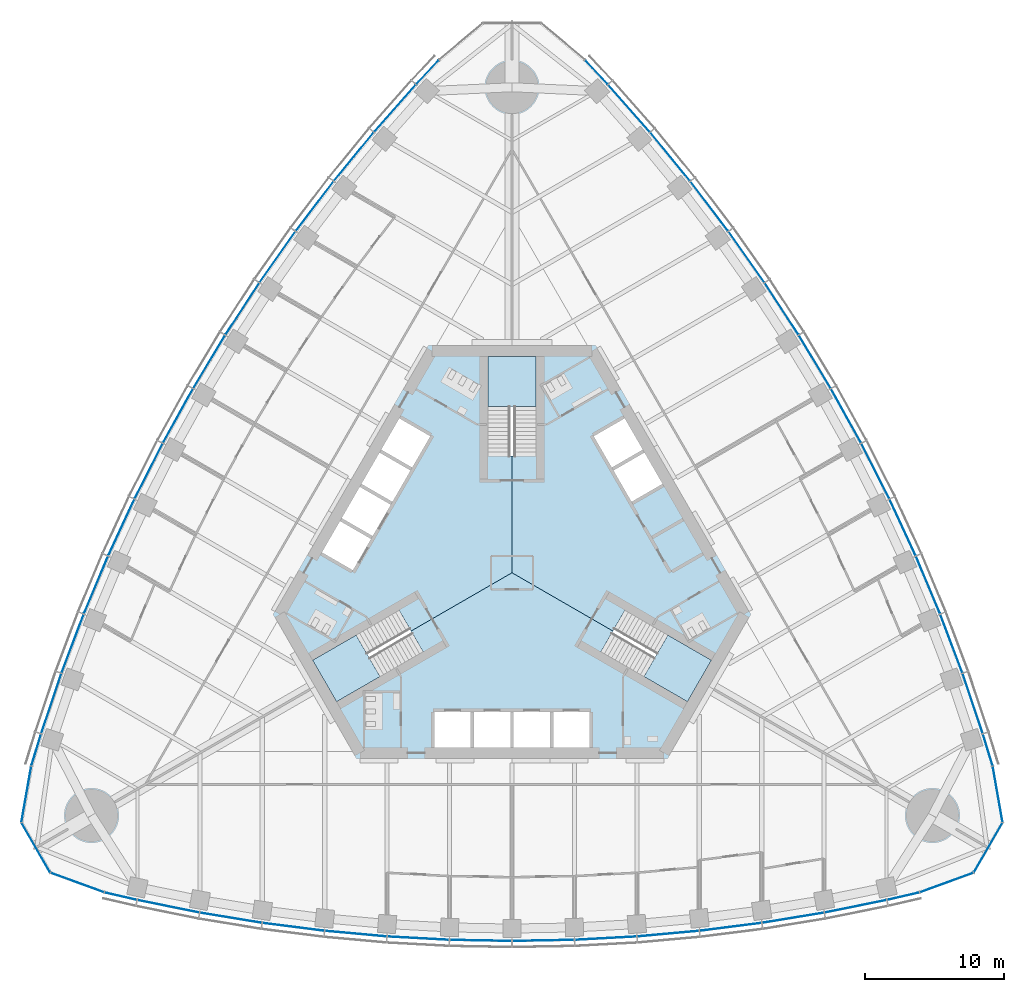
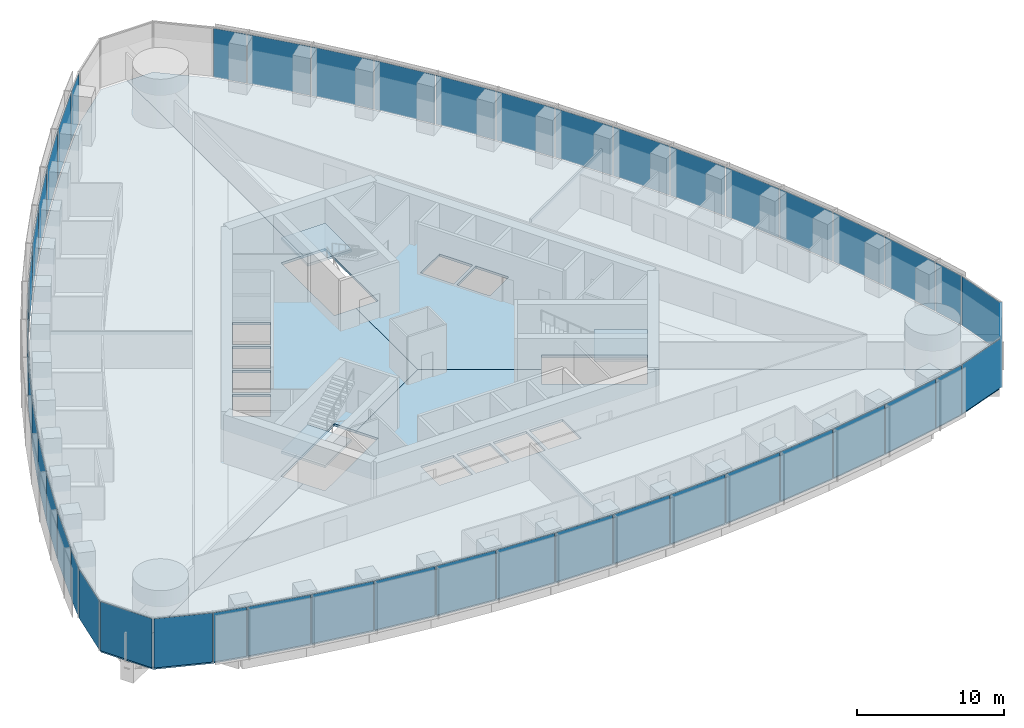
# One storey, part 10 of 19: 48 plates, 6 slabs, 8 elements without a shape of their own.
"""IFC4 building model written with IfcOpenShell, lengths in metres."""

from ifc_helpers import new_model, si_unit, direction, frame, origin, origin_2d, place, context, subcontext, project, spatial, polyline, rectangle, outline, extrude, material, layer, layer_set, type_object, element, aggregate, save


model = new_model("IFC4")

# Units and contexts
model_context = context("Model", 3, precision=1e-05, world=origin(), true_north=direction((0.0, 1.0)))
body_context = subcontext(model_context, "Body", "Model", "MODEL_VIEW")
ifc_project = project(units=[si_unit("LENGTHUNIT", "METRE"), si_unit("AREAUNIT", "SQUARE_METRE"), si_unit("VOLUMEUNIT", "CUBIC_METRE"), si_unit("PLANEANGLEUNIT", "RADIAN"), si_unit("MASSUNIT", "GRAM", prefix="KILO")], contexts=[model_context])

# Site, building, storey
site_placement = place(None, origin())
site = spatial("IfcSite", under=ifc_project, at=site_placement, CompositionType="ELEMENT")
building_placement = place(site_placement, origin())
building = spatial("IfcBuilding", under=site, at=building_placement, Name="Trefoil Bronze Tower", CompositionType="ELEMENT")
storey_placement = place(building_placement, frame((0.0, 0.0, 132.5)))
storey = spatial("IfcBuildingStorey", under=building, at=storey_placement, Name="L30", CompositionType="ELEMENT", Elevation=132.5)

# Curtain wall, plates
ifc_material_1 = material(Name="Tinted solar-control glass", Category="glass")
curtain_wall_type_1 = type_object("IfcCurtainWallType", Name="Bronze office curtain wall", PredefinedType="USERDEFINED", material=ifc_material_1)
curtain_wall_1_placement = place(storey_placement, origin())
curtain_wall_1 = element("IfcCurtainWall", 1, at=curtain_wall_1_placement, inside=storey, type_object=curtain_wall_type_1, Name="CW-A L30 F1", ObjectType="CURTAIN WALL", PredefinedType="USERDEFINED")
ifc_material_2 = material(Name="Tinted solar-control glass", Category="glass")
ifc_layer_1 = layer(ifc_material_2, 0.030029296875)
ifc_layer_set_1 = layer_set([ifc_layer_1], Name="Bronze office curtain wall glass panel")
plate_type_1 = type_object("IfcPlateType", Name="Bronze office curtain wall glass panel", PredefinedType="CURTAIN_PANEL", material=ifc_layer_set_1)
plate_1_placement = place(storey_placement, frame((-28.201416015625, -23.320068359375, 0.0), z_axis=(0.0, 0.0, 1.0), x_axis=(0.97420444715, -0.225667222151, 0.0)))
plate_1 = element("IfcPlate", 2, at=plate_1_placement, type_object=plate_type_1, Name="CW-A L30 F1 panel 1", PredefinedType="CURTAIN_PANEL", context=body_context, shape_type="SweptSolid", body=[
    extrude(rectangle(XDim=2.340087890625, YDim=0.030029296875, at=origin_2d()), origin(), (0.0, 0.0, 1.0), 4.080078125),
])
plate_2_placement = place(storey_placement, frame((-24.769775390625, -24.048828125, 0.0), z_axis=(0.0, 0.0, 1.0), x_axis=(0.980155155547, -0.198231861853, 0.0)))
plate_2 = element("IfcPlate", 3, at=plate_2_placement, type_object=plate_type_1, Name="CW-A L30 F1 panel 2", PredefinedType="CURTAIN_PANEL", context=body_context, shape_type="SweptSolid", body=[
    extrude(rectangle(XDim=4.51123046875, YDim=0.030029296875, at=origin_2d()), origin(), (0.0, 0.0, 1.0), 4.080078125),
])
plate_3_placement = place(storey_placement, frame((-20.26611328125, -24.87451171875, 0.0), z_axis=(0.0, 0.0, 1.0), x_axis=(0.986759655731, -0.162189339418, 0.0)))
plate_3 = element("IfcPlate", 4, at=plate_3_placement, type_object=plate_type_1, Name="CW-A L30 F1 panel 3", PredefinedType="CURTAIN_PANEL", context=body_context, shape_type="SweptSolid", body=[
    extrude(rectangle(XDim=4.48046875, YDim=0.030029296875, at=origin_2d()), origin(), (0.0, 0.0, 1.0), 4.080078125),
])
plate_4_placement = place(storey_placement, frame((-15.7626953125, -25.53076171875, 0.0), z_axis=(0.0, 0.0, 1.0), x_axis=(0.992011554286, -0.126147041833, 0.0)))
plate_4 = element("IfcPlate", 5, at=plate_4_placement, type_object=plate_type_1, Name="CW-A L30 F1 panel 4", PredefinedType="CURTAIN_PANEL", context=body_context, shape_type="SweptSolid", body=[
    extrude(rectangle(XDim=4.456298828125, YDim=0.030029296875, at=origin_2d()), origin(), (0.0, 0.0, 1.0), 4.080078125),
])
plate_5_placement = place(storey_placement, frame((-11.259033203125, -26.02099609375, 0.0), z_axis=(0.0, 0.0, 1.0), x_axis=(0.995932279146, -0.090104913044, 0.0)))
plate_5 = element("IfcPlate", 6, at=plate_5_placement, type_object=plate_type_1, Name="CW-A L30 F1 panel 5", PredefinedType="CURTAIN_PANEL", context=body_context, shape_type="SweptSolid", body=[
    extrude(rectangle(XDim=4.4384765625, YDim=0.030029296875, at=origin_2d()), origin(), (0.0, 0.0, 1.0), 4.080078125),
])
plate_6_placement = place(storey_placement, frame((-6.75537109375, -26.3466796875, 0.0), z_axis=(0.0, 0.0, 1.0), x_axis=(0.998537531923, -0.054062901701, 0.0)))
plate_6 = element("IfcPlate", 7, at=plate_6_placement, type_object=plate_type_1, Name="CW-A L30 F1 panel 6", PredefinedType="CURTAIN_PANEL", context=body_context, shape_type="SweptSolid", body=[
    extrude(rectangle(XDim=4.426513671875, YDim=0.030029296875, at=origin_2d()), origin(), (0.0, 0.0, 1.0), 4.080078125),
])
plate_7_placement = place(storey_placement, frame((-2.251708984375, -26.509033203125, 0.0), z_axis=(0.0, 0.0, 1.0), x_axis=(0.999837609322, -0.018020959612, 0.0)))
plate_7 = element("IfcPlate", 8, at=plate_7_placement, type_object=plate_type_1, Name="CW-A L30 F1 panel 7", PredefinedType="CURTAIN_PANEL", context=body_context, shape_type="SweptSolid", body=[
    extrude(rectangle(XDim=4.420654296875, YDim=0.030029296875, at=origin_2d()), origin(), (0.0, 0.0, 1.0), 4.080078125),
])
plate_8_placement = place(storey_placement, frame((2.251708984375, -26.509033203125, 0.0), z_axis=(0.0, 0.0, 1.0), x_axis=(0.999837609322, 0.018020959612, 0.0)))
plate_8 = element("IfcPlate", 9, at=plate_8_placement, type_object=plate_type_1, Name="CW-A L30 F1 panel 8", PredefinedType="CURTAIN_PANEL", context=body_context, shape_type="SweptSolid", body=[
    extrude(rectangle(XDim=4.420654296875, YDim=0.030029296875, at=origin_2d()), origin(), (0.0, 0.0, 1.0), 4.080078125),
])
plate_9_placement = place(storey_placement, frame((6.75537109375, -26.3466796875, 0.0), z_axis=(0.0, 0.0, 1.0), x_axis=(0.998537531923, 0.054062901701, 0.0)))
plate_9 = element("IfcPlate", 10, at=plate_9_placement, type_object=plate_type_1, Name="CW-A L30 F1 panel 9", PredefinedType="CURTAIN_PANEL", context=body_context, shape_type="SweptSolid", body=[
    extrude(rectangle(XDim=4.426513671875, YDim=0.030029296875, at=origin_2d()), origin(), (0.0, 0.0, 1.0), 4.080078125),
])
plate_10_placement = place(storey_placement, frame((11.259033203125, -26.02099609375, 0.0), z_axis=(0.0, 0.0, 1.0), x_axis=(0.995932279146, 0.090104913044, 0.0)))
plate_10 = element("IfcPlate", 11, at=plate_10_placement, type_object=plate_type_1, Name="CW-A L30 F1 panel 10", PredefinedType="CURTAIN_PANEL", context=body_context, shape_type="SweptSolid", body=[
    extrude(rectangle(XDim=4.4384765625, YDim=0.030029296875, at=origin_2d()), origin(), (0.0, 0.0, 1.0), 4.080078125),
])
plate_11_placement = place(storey_placement, frame((15.7626953125, -25.53076171875, 0.0), z_axis=(0.0, 0.0, 1.0), x_axis=(0.992011554286, 0.126147041833, 0.0)))
plate_11 = element("IfcPlate", 12, at=plate_11_placement, type_object=plate_type_1, Name="CW-A L30 F1 panel 11", PredefinedType="CURTAIN_PANEL", context=body_context, shape_type="SweptSolid", body=[
    extrude(rectangle(XDim=4.456298828125, YDim=0.030029296875, at=origin_2d()), origin(), (0.0, 0.0, 1.0), 4.080078125),
])
plate_12_placement = place(storey_placement, frame((20.26611328125, -24.87451171875, 0.0), z_axis=(0.0, 0.0, 1.0), x_axis=(0.986759655731, 0.162189339418, 0.0)))
plate_12 = element("IfcPlate", 13, at=plate_12_placement, type_object=plate_type_1, Name="CW-A L30 F1 panel 12", PredefinedType="CURTAIN_PANEL", context=body_context, shape_type="SweptSolid", body=[
    extrude(rectangle(XDim=4.48046875, YDim=0.030029296875, at=origin_2d()), origin(), (0.0, 0.0, 1.0), 4.080078125),
])
plate_13_placement = place(storey_placement, frame((24.769775390625, -24.048828125, 0.0), z_axis=(0.0, 0.0, 1.0), x_axis=(0.980155155547, 0.198231861853, 0.0)))
plate_13 = element("IfcPlate", 14, at=plate_13_placement, type_object=plate_type_1, Name="CW-A L30 F1 panel 13", PredefinedType="CURTAIN_PANEL", context=body_context, shape_type="SweptSolid", body=[
    extrude(rectangle(XDim=4.51123046875, YDim=0.030029296875, at=origin_2d()), origin(), (0.0, 0.0, 1.0), 4.080078125),
])
plate_14_placement = place(storey_placement, frame((28.201416015625, -23.320068359375, 0.0), z_axis=(0.0, 0.0, 1.0), x_axis=(0.97420444715, 0.225667222151, 0.0)))
plate_14 = element("IfcPlate", 15, at=plate_14_placement, type_object=plate_type_1, Name="CW-A L30 F1 panel 14", PredefinedType="CURTAIN_PANEL", context=body_context, shape_type="SweptSolid", body=[
    extrude(rectangle(XDim=2.340087890625, YDim=0.030029296875, at=origin_2d()), origin(), (0.0, 0.0, 1.0), 4.080078125),
])
aggregate(curtain_wall_1, [plate_1, plate_2, plate_3, plate_4, plate_5, plate_6, plate_7, plate_8, plate_9, plate_10, plate_11, plate_12, plate_13, plate_14])

curtain_wall_2_placement = place(storey_placement, origin())
curtain_wall_2 = element("IfcCurtainWall", 16, at=curtain_wall_2_placement, inside=storey, type_object=curtain_wall_type_1, Name="CW-A L30 F2", ObjectType="CURTAIN WALL", PredefinedType="USERDEFINED")
plate_15_placement = place(storey_placement, frame((34.296630859375, -12.762939453125, 0.0), z_axis=(0.0, 0.0, 1.0), x_axis=(-0.291668676391, 0.956519410787, 0.0)))
plate_15 = element("IfcPlate", 17, at=plate_15_placement, type_object=plate_type_1, Name="CW-A L30 F2 panel 1", PredefinedType="CURTAIN_PANEL", context=body_context, shape_type="SweptSolid", body=[
    extrude(rectangle(XDim=2.340087890625, YDim=0.030029296875, at=origin_2d()), origin(), (0.0, 0.0, 1.0), 4.080078125),
])
plate_16_placement = place(storey_placement, frame((33.2119140625, -9.4267578125, 0.0), z_axis=(0.0, 0.0, 1.0), x_axis=(-0.318403749569, 0.947955195281, 0.0)))
plate_16 = element("IfcPlate", 18, at=plate_16_placement, type_object=plate_type_1, Name="CW-A L30 F2 panel 2", PredefinedType="CURTAIN_PANEL", context=body_context, shape_type="SweptSolid", body=[
    extrude(rectangle(XDim=4.51123046875, YDim=0.030029296875, at=origin_2d()), origin(), (0.0, 0.0, 1.0), 4.080078125),
])
plate_17_placement = place(storey_placement, frame((31.675048828125, -5.11376953125, 0.0), z_axis=(0.0, 0.0, 1.0), x_axis=(-0.352919739707, 0.935653599002, 0.0)))
plate_17 = element("IfcPlate", 19, at=plate_17_placement, type_object=plate_type_1, Name="CW-A L30 F2 panel 3", PredefinedType="CURTAIN_PANEL", context=body_context, shape_type="SweptSolid", body=[
    extrude(rectangle(XDim=4.48046875, YDim=0.030029296875, at=origin_2d()), origin(), (0.0, 0.0, 1.0), 4.080078125),
])
plate_18_placement = place(storey_placement, frame((29.99169921875, -0.885498046875, 0.0), z_axis=(0.0, 0.0, 1.0), x_axis=(-0.386759234303, 0.922180727776, 0.0)))
plate_18 = element("IfcPlate", 20, at=plate_18_placement, type_object=plate_type_1, Name="CW-A L30 F2 panel 4", PredefinedType="CURTAIN_PANEL", context=body_context, shape_type="SweptSolid", body=[
    extrude(rectangle(XDim=4.456298828125, YDim=0.030029296875, at=origin_2d()), origin(), (0.0, 0.0, 1.0), 4.080078125),
])
plate_19_placement = place(storey_placement, frame((28.164306640625, 3.260009765625, 0.0), z_axis=(0.0, 0.0, 1.0), x_axis=(-0.419932995871, 0.907555110712, 0.0)))
plate_19 = element("IfcPlate", 21, at=plate_19_placement, type_object=plate_type_1, Name="CW-A L30 F2 panel 5", PredefinedType="CURTAIN_PANEL", context=body_context, shape_type="SweptSolid", body=[
    extrude(rectangle(XDim=4.4384765625, YDim=0.030029296875, at=origin_2d()), origin(), (0.0, 0.0, 1.0), 4.080078125),
])
plate_20_placement = place(storey_placement, frame((26.194580078125, 7.322998046875, 0.0), z_axis=(0.0, 0.0, 1.0), x_axis=(-0.452448919686, 0.891790320128, 0.0)))
plate_20 = element("IfcPlate", 22, at=plate_20_placement, type_object=plate_type_1, Name="CW-A L30 F2 panel 6", PredefinedType="CURTAIN_PANEL", context=body_context, shape_type="SweptSolid", body=[
    extrude(rectangle(XDim=4.426513671875, YDim=0.030029296875, at=origin_2d()), origin(), (0.0, 0.0, 1.0), 4.080078125),
])
plate_21_placement = place(storey_placement, frame((24.08349609375, 11.304443359375, 0.0), z_axis=(0.0, 0.0, 1.0), x_axis=(-0.484312195836, 0.874895249138, 0.0)))
plate_21 = element("IfcPlate", 23, at=plate_21_placement, type_object=plate_type_1, Name="CW-A L30 F2 panel 7", PredefinedType="CURTAIN_PANEL", context=body_context, shape_type="SweptSolid", body=[
    extrude(rectangle(XDim=4.420654296875, YDim=0.030029296875, at=origin_2d()), origin(), (0.0, 0.0, 1.0), 4.080078125),
])
plate_22_placement = place(storey_placement, frame((21.83154296875, 15.20458984375, 0.0), z_axis=(0.0, 0.0, 1.0), x_axis=(-0.515525413486, 0.856874289526, 0.0)))
plate_22 = element("IfcPlate", 24, at=plate_22_placement, type_object=plate_type_1, Name="CW-A L30 F2 panel 8", PredefinedType="CURTAIN_PANEL", context=body_context, shape_type="SweptSolid", body=[
    extrude(rectangle(XDim=4.420654296875, YDim=0.030029296875, at=origin_2d()), origin(), (0.0, 0.0, 1.0), 4.080078125),
])
plate_23_placement = place(storey_placement, frame((19.439208984375, 19.023681640625, 0.0), z_axis=(0.0, 0.0, 1.0), x_axis=(-0.546088612237, 0.837727418427, 0.0)))
plate_23 = element("IfcPlate", 25, at=plate_23_placement, type_object=plate_type_1, Name="CW-A L30 F2 panel 9", PredefinedType="CURTAIN_PANEL", context=body_context, shape_type="SweptSolid", body=[
    extrude(rectangle(XDim=4.426513671875, YDim=0.030029296875, at=origin_2d()), origin(), (0.0, 0.0, 1.0), 4.080078125),
])
plate_24_placement = place(storey_placement, frame((16.9052734375, 22.760986328125, 0.0), z_axis=(0.0, 0.0, 1.0), x_axis=(-0.575999283275, 0.817450197667, 0.0)))
plate_24 = element("IfcPlate", 26, at=plate_24_placement, type_object=plate_type_1, Name="CW-A L30 F2 panel 10", PredefinedType="CURTAIN_PANEL", context=body_context, shape_type="SweptSolid", body=[
    extrude(rectangle(XDim=4.4384765625, YDim=0.030029296875, at=origin_2d()), origin(), (0.0, 0.0, 1.0), 4.080078125),
])
plate_25_placement = place(storey_placement, frame((14.22900390625, 26.416259765625, 0.0), z_axis=(0.0, 0.0, 1.0), x_axis=(-0.605252319983, 0.796033685943, 0.0)))
plate_25 = element("IfcPlate", 27, at=plate_25_placement, type_object=plate_type_1, Name="CW-A L30 F2 panel 11", PredefinedType="CURTAIN_PANEL", context=body_context, shape_type="SweptSolid", body=[
    extrude(rectangle(XDim=4.456298828125, YDim=0.030029296875, at=origin_2d()), origin(), (0.0, 0.0, 1.0), 4.080078125),
])
plate_26_placement = place(storey_placement, frame((11.40869140625, 29.98828125, 0.0), z_axis=(0.0, 0.0, 1.0), x_axis=(-0.633839916024, 0.773464259584, 0.0)))
plate_26 = element("IfcPlate", 28, at=plate_26_placement, type_object=plate_type_1, Name="CW-A L30 F2 panel 12", PredefinedType="CURTAIN_PANEL", context=body_context, shape_type="SweptSolid", body=[
    extrude(rectangle(XDim=4.48046875, YDim=0.030029296875, at=origin_2d()), origin(), (0.0, 0.0, 1.0), 4.080078125),
])
plate_27_placement = place(storey_placement, frame((8.442138671875, 33.475830078125, 0.0), z_axis=(0.0, 0.0, 1.0), x_axis=(-0.661751405978, 0.749723333428, 0.0)))
plate_27 = element("IfcPlate", 29, at=plate_27_placement, type_object=plate_type_1, Name="CW-A L30 F2 panel 13", PredefinedType="CURTAIN_PANEL", context=body_context, shape_type="SweptSolid", body=[
    extrude(rectangle(XDim=4.51123046875, YDim=0.030029296875, at=origin_2d()), origin(), (0.0, 0.0, 1.0), 4.080078125),
])
plate_28_placement = place(storey_placement, frame((6.09521484375, 36.083251953125, 0.0), z_axis=(0.0, 0.0, 1.0), x_axis=(-0.682535770759, 0.730852188636, 0.0)))
plate_28 = element("IfcPlate", 30, at=plate_28_placement, type_object=plate_type_1, Name="CW-A L30 F2 panel 14", PredefinedType="CURTAIN_PANEL", context=body_context, shape_type="SweptSolid", body=[
    extrude(rectangle(XDim=2.340087890625, YDim=0.030029296875, at=origin_2d()), origin(), (0.0, 0.0, 1.0), 4.080078125),
])
aggregate(curtain_wall_2, [plate_15, plate_16, plate_17, plate_18, plate_19, plate_20, plate_21, plate_22, plate_23, plate_24, plate_25, plate_26, plate_27, plate_28])

curtain_wall_3_placement = place(storey_placement, origin())
curtain_wall_3 = element("IfcCurtainWall", 31, at=curtain_wall_3_placement, inside=storey, type_object=curtain_wall_type_1, Name="CW-A L30 F3", ObjectType="CURTAIN WALL", PredefinedType="USERDEFINED")
plate_29_placement = place(storey_placement, frame((-6.09521484375, 36.083251953125, 0.0), z_axis=(0.0, 0.0, 1.0), x_axis=(-0.682535770759, -0.730852188636, 0.0)))
plate_29 = element("IfcPlate", 32, at=plate_29_placement, type_object=plate_type_1, Name="CW-A L30 F3 panel 1", PredefinedType="CURTAIN_PANEL", context=body_context, shape_type="SweptSolid", body=[
    extrude(rectangle(XDim=2.340087890625, YDim=0.030029296875, at=origin_2d()), origin(), (0.0, 0.0, 1.0), 4.080078125),
])
plate_30_placement = place(storey_placement, frame((-8.442138671875, 33.475830078125, 0.0), z_axis=(0.0, 0.0, 1.0), x_axis=(-0.661751405978, -0.749723333428, 0.0)))
plate_30 = element("IfcPlate", 33, at=plate_30_placement, type_object=plate_type_1, Name="CW-A L30 F3 panel 2", PredefinedType="CURTAIN_PANEL", context=body_context, shape_type="SweptSolid", body=[
    extrude(rectangle(XDim=4.51123046875, YDim=0.030029296875, at=origin_2d()), origin(), (0.0, 0.0, 1.0), 4.080078125),
])
plate_31_placement = place(storey_placement, frame((-11.40869140625, 29.98828125, 0.0), z_axis=(0.0, 0.0, 1.0), x_axis=(-0.633839916024, -0.773464259584, 0.0)))
plate_31 = element("IfcPlate", 34, at=plate_31_placement, type_object=plate_type_1, Name="CW-A L30 F3 panel 3", PredefinedType="CURTAIN_PANEL", context=body_context, shape_type="SweptSolid", body=[
    extrude(rectangle(XDim=4.48046875, YDim=0.030029296875, at=origin_2d()), origin(), (0.0, 0.0, 1.0), 4.080078125),
])
plate_32_placement = place(storey_placement, frame((-14.22900390625, 26.416259765625, 0.0), z_axis=(0.0, 0.0, 1.0), x_axis=(-0.605252319983, -0.796033685943, 0.0)))
plate_32 = element("IfcPlate", 35, at=plate_32_placement, type_object=plate_type_1, Name="CW-A L30 F3 panel 4", PredefinedType="CURTAIN_PANEL", context=body_context, shape_type="SweptSolid", body=[
    extrude(rectangle(XDim=4.456298828125, YDim=0.030029296875, at=origin_2d()), origin(), (0.0, 0.0, 1.0), 4.080078125),
])
plate_33_placement = place(storey_placement, frame((-16.9052734375, 22.760986328125, 0.0), z_axis=(0.0, 0.0, 1.0), x_axis=(-0.575999283275, -0.817450197667, 0.0)))
plate_33 = element("IfcPlate", 36, at=plate_33_placement, type_object=plate_type_1, Name="CW-A L30 F3 panel 5", PredefinedType="CURTAIN_PANEL", context=body_context, shape_type="SweptSolid", body=[
    extrude(rectangle(XDim=4.4384765625, YDim=0.030029296875, at=origin_2d()), origin(), (0.0, 0.0, 1.0), 4.080078125),
])
plate_34_placement = place(storey_placement, frame((-19.439208984375, 19.023681640625, 0.0), z_axis=(0.0, 0.0, 1.0), x_axis=(-0.546088612237, -0.837727418427, 0.0)))
plate_34 = element("IfcPlate", 37, at=plate_34_placement, type_object=plate_type_1, Name="CW-A L30 F3 panel 6", PredefinedType="CURTAIN_PANEL", context=body_context, shape_type="SweptSolid", body=[
    extrude(rectangle(XDim=4.426513671875, YDim=0.030029296875, at=origin_2d()), origin(), (0.0, 0.0, 1.0), 4.080078125),
])
plate_35_placement = place(storey_placement, frame((-21.83154296875, 15.20458984375, 0.0), z_axis=(0.0, 0.0, 1.0), x_axis=(-0.515525413486, -0.856874289526, 0.0)))
plate_35 = element("IfcPlate", 38, at=plate_35_placement, type_object=plate_type_1, Name="CW-A L30 F3 panel 7", PredefinedType="CURTAIN_PANEL", context=body_context, shape_type="SweptSolid", body=[
    extrude(rectangle(XDim=4.420654296875, YDim=0.030029296875, at=origin_2d()), origin(), (0.0, 0.0, 1.0), 4.080078125),
])
plate_36_placement = place(storey_placement, frame((-24.08349609375, 11.304443359375, 0.0), z_axis=(0.0, 0.0, 1.0), x_axis=(-0.484312195836, -0.874895249138, 0.0)))
plate_36 = element("IfcPlate", 39, at=plate_36_placement, type_object=plate_type_1, Name="CW-A L30 F3 panel 8", PredefinedType="CURTAIN_PANEL", context=body_context, shape_type="SweptSolid", body=[
    extrude(rectangle(XDim=4.420654296875, YDim=0.030029296875, at=origin_2d()), origin(), (0.0, 0.0, 1.0), 4.080078125),
])
plate_37_placement = place(storey_placement, frame((-26.194580078125, 7.322998046875, 0.0), z_axis=(0.0, 0.0, 1.0), x_axis=(-0.452448919686, -0.891790320128, 0.0)))
plate_37 = element("IfcPlate", 40, at=plate_37_placement, type_object=plate_type_1, Name="CW-A L30 F3 panel 9", PredefinedType="CURTAIN_PANEL", context=body_context, shape_type="SweptSolid", body=[
    extrude(rectangle(XDim=4.426513671875, YDim=0.030029296875, at=origin_2d()), origin(), (0.0, 0.0, 1.0), 4.080078125),
])
plate_38_placement = place(storey_placement, frame((-28.164306640625, 3.260009765625, 0.0), z_axis=(0.0, 0.0, 1.0), x_axis=(-0.419932995871, -0.907555110712, 0.0)))
plate_38 = element("IfcPlate", 41, at=plate_38_placement, type_object=plate_type_1, Name="CW-A L30 F3 panel 10", PredefinedType="CURTAIN_PANEL", context=body_context, shape_type="SweptSolid", body=[
    extrude(rectangle(XDim=4.4384765625, YDim=0.030029296875, at=origin_2d()), origin(), (0.0, 0.0, 1.0), 4.080078125),
])
plate_39_placement = place(storey_placement, frame((-29.99169921875, -0.885498046875, 0.0), z_axis=(0.0, 0.0, 1.0), x_axis=(-0.386759234303, -0.922180727776, 0.0)))
plate_39 = element("IfcPlate", 42, at=plate_39_placement, type_object=plate_type_1, Name="CW-A L30 F3 panel 11", PredefinedType="CURTAIN_PANEL", context=body_context, shape_type="SweptSolid", body=[
    extrude(rectangle(XDim=4.456298828125, YDim=0.030029296875, at=origin_2d()), origin(), (0.0, 0.0, 1.0), 4.080078125),
])
plate_40_placement = place(storey_placement, frame((-31.675048828125, -5.11376953125, 0.0), z_axis=(0.0, 0.0, 1.0), x_axis=(-0.352919739707, -0.935653599002, 0.0)))
plate_40 = element("IfcPlate", 43, at=plate_40_placement, type_object=plate_type_1, Name="CW-A L30 F3 panel 12", PredefinedType="CURTAIN_PANEL", context=body_context, shape_type="SweptSolid", body=[
    extrude(rectangle(XDim=4.48046875, YDim=0.030029296875, at=origin_2d()), origin(), (0.0, 0.0, 1.0), 4.080078125),
])
plate_41_placement = place(storey_placement, frame((-33.2119140625, -9.4267578125, 0.0), z_axis=(0.0, 0.0, 1.0), x_axis=(-0.318403749569, -0.947955195281, 0.0)))
plate_41 = element("IfcPlate", 44, at=plate_41_placement, type_object=plate_type_1, Name="CW-A L30 F3 panel 13", PredefinedType="CURTAIN_PANEL", context=body_context, shape_type="SweptSolid", body=[
    extrude(rectangle(XDim=4.51123046875, YDim=0.030029296875, at=origin_2d()), origin(), (0.0, 0.0, 1.0), 4.080078125),
])
plate_42_placement = place(storey_placement, frame((-34.296630859375, -12.762939453125, 0.0), z_axis=(0.0, 0.0, 1.0), x_axis=(-0.291668676391, -0.956519410787, 0.0)))
plate_42 = element("IfcPlate", 45, at=plate_42_placement, type_object=plate_type_1, Name="CW-A L30 F3 panel 14", PredefinedType="CURTAIN_PANEL", context=body_context, shape_type="SweptSolid", body=[
    extrude(rectangle(XDim=2.340087890625, YDim=0.030029296875, at=origin_2d()), origin(), (0.0, 0.0, 1.0), 4.080078125),
])
aggregate(curtain_wall_3, [plate_29, plate_30, plate_31, plate_32, plate_33, plate_34, plate_35, plate_36, plate_37, plate_38, plate_39, plate_40, plate_41, plate_42])

ifc_material_3 = material(Name="Tinted solar-control glass", Category="glass")
curtain_wall_type_2 = type_object("IfcCurtainWallType", Name="Bronze rounded corner curtain wall", PredefinedType="USERDEFINED", material=ifc_material_3)
curtain_wall_4_placement = place(storey_placement, origin())
curtain_wall_4 = element("IfcCurtainWall", 46, at=curtain_wall_4_placement, inside=storey, type_object=curtain_wall_type_2, Name="CW-B L30 K1", ObjectType="CURTAIN WALL", PredefinedType="USERDEFINED")
ifc_material_4 = material(Name="Tinted solar-control glass", Category="glass")
ifc_layer_2 = layer(ifc_material_4, 0.030029296875)
ifc_layer_set_2 = layer_set([ifc_layer_2], Name="Bronze rounded corner curtain wall glass panel")
plate_type_2 = type_object("IfcPlateType", Name="Bronze rounded corner curtain wall glass panel", PredefinedType="CURTAIN_PANEL", material=ifc_layer_set_2)
plate_43_placement = place(storey_placement, frame((31.3203125, -22.341796875, 0.0), z_axis=(0.0, 0.0, 1.0), x_axis=(0.939692620786, 0.342020143326, 0.0)))
plate_43 = element("IfcPlate", 47, at=plate_43_placement, type_object=plate_type_2, Name="CW-B L30 K1 panel 1", PredefinedType="CURTAIN_PANEL", context=body_context, shape_type="SweptSolid", body=[
    extrude(rectangle(XDim=4.044189453125, YDim=0.030029296875, at=origin_2d()), origin(), (0.0, 0.0, 1.0), 4.080078125),
])
plate_44_placement = place(storey_placement, frame((34.3271484375, -19.81884765625, 0.0), z_axis=(0.0, 0.0, 1.0), x_axis=(0.5, 0.866025403784, 0.0)))
plate_44 = element("IfcPlate", 48, at=plate_44_placement, type_object=plate_type_2, Name="CW-B L30 K1 panel 2", PredefinedType="CURTAIN_PANEL", context=body_context, shape_type="SweptSolid", body=[
    extrude(rectangle(XDim=4.044189453125, YDim=0.030029296875, at=origin_2d()), origin(), (0.0, 0.0, 1.0), 4.080078125),
])
plate_45_placement = place(storey_placement, frame((35.0087890625, -15.953369140625, 0.0), z_axis=(0.0, 0.0, 1.0), x_axis=(-0.173648177667, 0.984807753012, 0.0)))
plate_45 = element("IfcPlate", 49, at=plate_45_placement, type_object=plate_type_2, Name="CW-B L30 K1 panel 3", PredefinedType="CURTAIN_PANEL", context=body_context, shape_type="SweptSolid", body=[
    extrude(rectangle(XDim=4.044189453125, YDim=0.030029296875, at=origin_2d()), origin(), (0.0, 0.0, 1.0), 4.080078125),
])
aggregate(curtain_wall_4, [plate_43, plate_44, plate_45])

curtain_wall_5_placement = place(storey_placement, origin())
curtain_wall_5 = element("IfcCurtainWall", 50, at=curtain_wall_5_placement, inside=storey, type_object=curtain_wall_type_2, Name="CW-B L30 K3", ObjectType="CURTAIN WALL", PredefinedType="USERDEFINED")
plate_46_placement = place(storey_placement, frame((-35.0087890625, -15.953369140625, 0.0), z_axis=(0.0, 0.0, 1.0), x_axis=(-0.173648177667, -0.984807753012, 0.0)))
plate_46 = element("IfcPlate", 51, at=plate_46_placement, type_object=plate_type_2, Name="CW-B L30 K3 panel 1", PredefinedType="CURTAIN_PANEL", context=body_context, shape_type="SweptSolid", body=[
    extrude(rectangle(XDim=4.044189453125, YDim=0.030029296875, at=origin_2d()), origin(), (0.0, 0.0, 1.0), 4.080078125),
])
plate_47_placement = place(storey_placement, frame((-34.3271484375, -19.81884765625, 0.0), z_axis=(0.0, 0.0, 1.0), x_axis=(0.5, -0.866025403784, 0.0)))
plate_47 = element("IfcPlate", 52, at=plate_47_placement, type_object=plate_type_2, Name="CW-B L30 K3 panel 2", PredefinedType="CURTAIN_PANEL", context=body_context, shape_type="SweptSolid", body=[
    extrude(rectangle(XDim=4.044189453125, YDim=0.030029296875, at=origin_2d()), origin(), (0.0, 0.0, 1.0), 4.080078125),
])
plate_48_placement = place(storey_placement, frame((-31.3203125, -22.341796875, 0.0), z_axis=(0.0, 0.0, 1.0), x_axis=(0.939692620786, -0.342020143326, 0.0)))
plate_48 = element("IfcPlate", 53, at=plate_48_placement, type_object=plate_type_2, Name="CW-B L30 K3 panel 3", PredefinedType="CURTAIN_PANEL", context=body_context, shape_type="SweptSolid", body=[
    extrude(rectangle(XDim=4.044189453125, YDim=0.030029296875, at=origin_2d()), origin(), (0.0, 0.0, 1.0), 4.080078125),
])
aggregate(curtain_wall_5, [plate_46, plate_47, plate_48])

# Slabs
ifc_material_5 = material(Name="Concrete B30", Category="concrete")
ifc_layer_3 = layer(ifc_material_5, 0.199951171875)
ifc_layer_set_3 = layer_set([ifc_layer_3], Name="Floor slab 200")
slab_type_1 = type_object("IfcSlabType", Name="Floor slab 200", PredefinedType="FLOOR", material=ifc_layer_set_3)
slab_1_placement = place(storey_placement, frame((0.0, 0.0, -0.199951171875)))
element("IfcSlab", 54, at=slab_1_placement, inside=storey, type_object=slab_type_1, Name="Floor slab L30 face 1", PredefinedType="FLOOR", context=body_context, shape_type="SweptSolid", body=[
    extrude(outline(polyline([(22.5, -24.406005859375), (18.0, -25.1455078125), (13.5, -25.7177734375), (9.0, -26.125), (4.5, -26.36865234375), (0.0, -26.44970703125), (-4.5, -26.36865234375), (-9.0, -26.125), (-13.5, -25.7177734375), (-18.0, -25.1455078125), (-22.5, -24.406005859375), (-27.0, -23.495849609375), (-29.357666015625, -22.94970703125), (-33.21435546875, -21.5458984375), (-34.240478515625, -19.768798828125), (-13.510009765625, -7.800048828125), (-12.6474609375, -9.2939453125), (-6.412109375, -5.69384765625), (-7.274658203125, -4.199951171875), (0.0, 0.0), (7.274658203125, -4.199951171875), (6.412109375, -5.69384765625), (12.6474609375, -9.2939453125), (13.510009765625, -7.800048828125), (34.240478515625, -19.768798828125), (33.21435546875, -21.5458984375), (29.357666015625, -22.94970703125), (27.0, -23.495849609375), (22.5, -24.406005859375)]), holes=[polyline([(-5.574951171875, -10.02490234375), (-2.97509765625, -10.02490234375), (-2.97509765625, -12.60009765625), (-5.574951171875, -12.60009765625), (-5.574951171875, -10.02490234375)]), polyline([(-2.72509765625, -10.02490234375), (-0.125, -10.02490234375), (-0.125, -12.60009765625), (-2.72509765625, -12.60009765625), (-2.72509765625, -10.02490234375)]), polyline([(0.125, -10.02490234375), (2.72509765625, -10.02490234375), (2.72509765625, -12.60009765625), (0.125, -12.60009765625), (0.125, -10.02490234375)]), polyline([(2.97509765625, -10.02490234375), (5.574951171875, -10.02490234375), (5.574951171875, -12.60009765625), (2.97509765625, -12.60009765625), (2.97509765625, -10.02490234375)])]), origin(), (0.0, 0.0, 1.0), 0.199951171875),
])
slab_2_placement = place(storey_placement, frame((0.0, 0.0, -0.199951171875)))
element("IfcSlab", 55, at=slab_2_placement, inside=storey, type_object=slab_type_1, Name="Floor slab L30 face 2", PredefinedType="FLOOR", context=body_context, shape_type="SweptSolid", body=[
    extrude(outline(polyline([(9.88623046875, 31.6884765625), (12.776611328125, 28.1611328125), (15.522216796875, 24.55029296875), (18.124755859375, 20.856689453125), (20.5859375, 17.081298828125), (22.906005859375, 13.224853515625), (25.0859375, 9.287109375), (27.124755859375, 5.268310546875), (29.022216796875, 1.16748046875), (30.776611328125, -3.015625), (32.38623046875, -7.28271484375), (33.847900390625, -11.634765625), (34.553955078125, -13.94970703125), (35.2666015625, -17.991455078125), (34.240478515625, -19.768798828125), (13.510009765625, -7.800048828125), (14.37255859375, -6.30615234375), (8.13720703125, -2.7060546875), (7.274658203125, -4.199951171875), (0.0, 0.0), (0.0, 8.39990234375), (1.72509765625, 8.39990234375), (1.72509765625, 15.60009765625), (0.0, 15.60009765625), (0.0, 39.53759765625), (2.052001953125, 39.53759765625), (5.196044921875, 36.8994140625), (6.847900390625, 35.130615234375), (9.88623046875, 31.6884765625)]), holes=[polyline([(8.619384765625, 5.120849609375), (7.3193359375, 7.372314453125), (9.54931640625, 8.659912109375), (10.849365234375, 6.408203125), (8.619384765625, 5.120849609375)]), polyline([(7.1943359375, 7.5888671875), (5.894287109375, 9.840576171875), (8.12451171875, 11.128173828125), (9.42431640625, 8.87646484375), (7.1943359375, 7.5888671875)])]), origin(), (0.0, 0.0, 1.0), 0.199951171875),
])
slab_3_placement = place(storey_placement, frame((0.0, 0.0, -0.199951171875)))
element("IfcSlab", 56, at=slab_3_placement, inside=storey, type_object=slab_type_1, Name="Floor slab L30 face 3", PredefinedType="FLOOR", context=body_context, shape_type="SweptSolid", body=[
    extrude(outline(polyline([(-32.38623046875, -7.28271484375), (-30.776611328125, -3.015625), (-29.022216796875, 1.16748046875), (-27.124755859375, 5.268310546875), (-25.0859375, 9.287109375), (-22.906005859375, 13.224853515625), (-20.5859375, 17.081298828125), (-18.124755859375, 20.856689453125), (-15.522216796875, 24.55029296875), (-12.776611328125, 28.1611328125), (-9.88623046875, 31.6884765625), (-6.847900390625, 35.130615234375), (-5.196044921875, 36.8994140625), (-2.052001953125, 39.53759765625), (0.0, 39.53759765625), (0.0, 15.60009765625), (-1.72509765625, 15.60009765625), (-1.72509765625, 8.39990234375), (0.0, 8.39990234375), (0.0, 0.0), (-7.274658203125, -4.199951171875), (-8.13720703125, -2.7060546875), (-14.37255859375, -6.30615234375), (-13.510009765625, -7.800048828125), (-34.240478515625, -19.768798828125), (-35.2666015625, -17.991455078125), (-34.553955078125, -13.94970703125), (-33.847900390625, -11.634765625), (-32.38623046875, -7.28271484375)]), holes=[polyline([(-5.894287109375, 9.840576171875), (-7.1943359375, 7.5888671875), (-9.42431640625, 8.87646484375), (-8.12451171875, 11.128173828125), (-5.894287109375, 9.840576171875)]), polyline([(-7.3193359375, 7.372314453125), (-8.619384765625, 5.120849609375), (-10.849365234375, 6.408203125), (-9.54931640625, 8.659912109375), (-7.3193359375, 7.372314453125)]), polyline([(-8.744384765625, 4.904296875), (-10.04443359375, 2.652587890625), (-12.2744140625, 3.940185546875), (-10.974365234375, 6.191650390625), (-8.744384765625, 4.904296875)]), polyline([(-10.16943359375, 2.43603515625), (-11.469482421875, 0.184326171875), (-13.699462890625, 1.471923828125), (-12.3994140625, 3.7236328125), (-10.16943359375, 2.43603515625)])]), origin(), (0.0, 0.0, 1.0), 0.199951171875),
])

# Stair, slab
ifc_material_6 = material(Name="Precast concrete B80", Category="concrete")
stair_type = type_object("IfcStairType", Name="Exit stair 26 risers", PredefinedType="HALF_TURN_STAIR", material=ifc_material_6)
stair_1_placement = place(storey_placement, origin())
stair_1 = element("IfcStair", 57, at=stair_1_placement, inside=storey, type_object=stair_type, Name="Stair ST1 L30", PredefinedType="HALF_TURN_STAIR")
ifc_material_7 = material(Name="Concrete B30", Category="concrete")
ifc_layer_4 = layer(ifc_material_7, 0.199951171875)
ifc_layer_set_4 = layer_set([ifc_layer_4], Name="Stair landing 200")
slab_type_2 = type_object("IfcSlabType", Name="Stair landing 200", PredefinedType="LANDING", material=ifc_layer_set_4)
slab_4_placement = place(storey_placement, frame((0.0, 0.0, 1.89990234375)))
slab_4 = element("IfcSlab", 58, at=slab_4_placement, type_object=slab_type_2, Name="ST1 landing 1", PredefinedType="LANDING", context=body_context, shape_type="SweptSolid", body=[
    extrude(outline(polyline([(9.512451171875, -7.48388671875), (12.6474609375, -9.2939453125), (14.37255859375, -6.30615234375), (11.237548828125, -4.49609375), (9.512451171875, -7.48388671875)])), origin(), (0.0, 0.0, 1.0), 0.2001953125),
])
aggregate(stair_1, [slab_4])

stair_2_placement = place(storey_placement, origin())
stair_2 = element("IfcStair", 59, at=stair_2_placement, inside=storey, type_object=stair_type, Name="Stair ST2 L30", PredefinedType="HALF_TURN_STAIR")
slab_5_placement = place(storey_placement, frame((0.0, 0.0, 1.89990234375)))
slab_5 = element("IfcSlab", 60, at=slab_5_placement, type_object=slab_type_2, Name="ST2 landing 1", PredefinedType="LANDING", context=body_context, shape_type="SweptSolid", body=[
    extrude(outline(polyline([(1.72509765625, 11.97998046875), (1.72509765625, 15.60009765625), (-1.72509765625, 15.60009765625), (-1.72509765625, 11.97998046875), (1.72509765625, 11.97998046875)])), origin(), (0.0, 0.0, 1.0), 0.2001953125),
])
aggregate(stair_2, [slab_5])

stair_3_placement = place(storey_placement, origin())
stair_3 = element("IfcStair", 61, at=stair_3_placement, inside=storey, type_object=stair_type, Name="Stair ST3 L30", PredefinedType="HALF_TURN_STAIR")
slab_6_placement = place(storey_placement, frame((0.0, 0.0, 1.89990234375)))
slab_6 = element("IfcSlab", 62, at=slab_6_placement, type_object=slab_type_2, Name="ST3 landing 1", PredefinedType="LANDING", context=body_context, shape_type="SweptSolid", body=[
    extrude(outline(polyline([(-11.237548828125, -4.49609375), (-14.37255859375, -6.30615234375), (-12.6474609375, -9.2939453125), (-9.512451171875, -7.48388671875), (-11.237548828125, -4.49609375)])), origin(), (0.0, 0.0, 1.0), 0.2001953125),
])
aggregate(stair_3, [slab_6])

save(model, "model.ifc")
